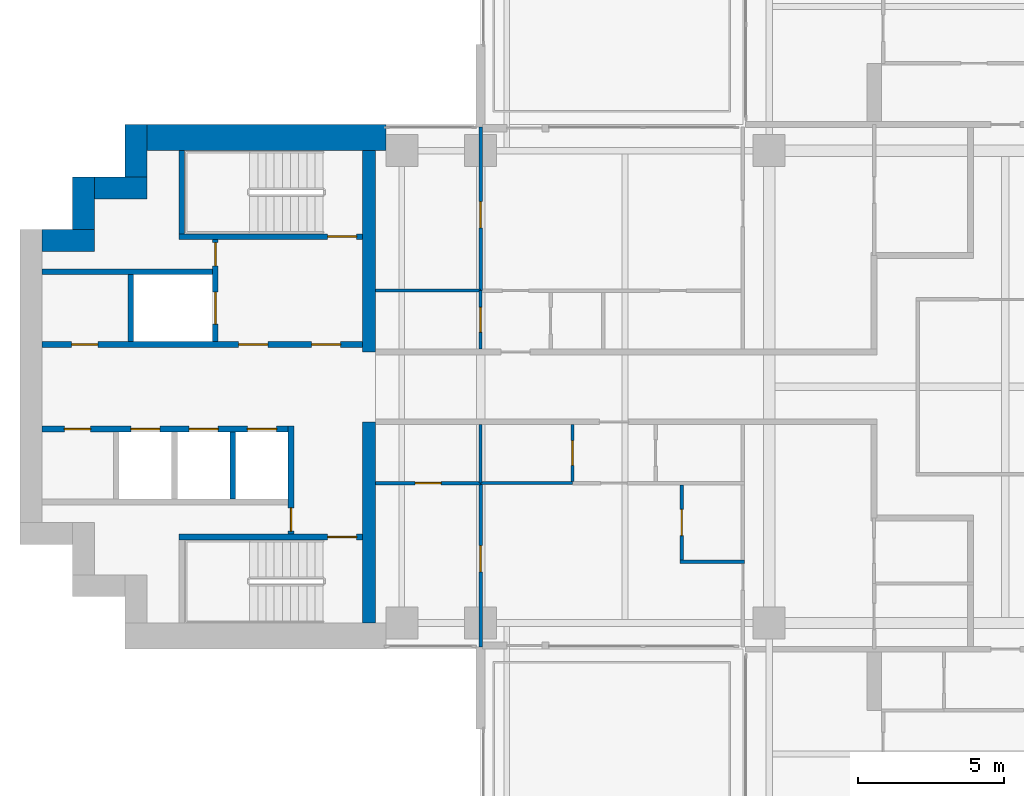
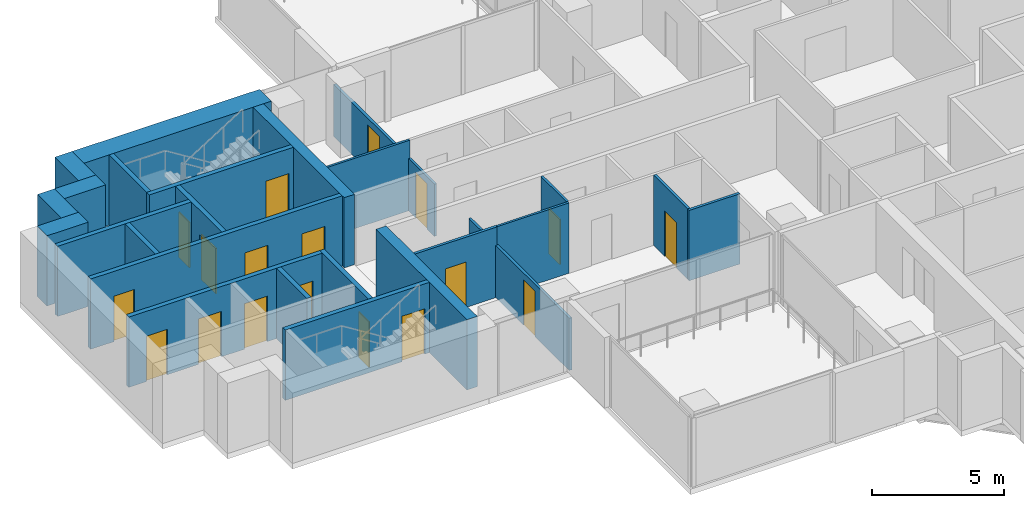
# One storey, part 9 of 19: 27 walls, 18 doors, 18 openings.
"""IFC4 building model written with IfcOpenShell, lengths in metres."""

from ifc_helpers import new_model, si_unit, direction, frame, frame_2d, origin, place, context, subcontext, project, spatial, rectangle, extrude, material, layer, layer_set, type_object, element, fill, save


model = new_model("IFC4")

# Units and contexts
model_context = context("Model", 3, precision=1e-05, world=origin(), true_north=direction((0.0, 1.0)))
body_context = subcontext(model_context, "Body", "Model", "MODEL_VIEW")
ifc_project = project(units=[si_unit("LENGTHUNIT", "METRE"), si_unit("AREAUNIT", "SQUARE_METRE"), si_unit("VOLUMEUNIT", "CUBIC_METRE"), si_unit("PLANEANGLEUNIT", "RADIAN"), si_unit("MASSUNIT", "GRAM", prefix="KILO")], contexts=[model_context])

# Site, building, storey
site_placement = place(None, origin())
site = spatial("IfcSite", under=ifc_project, at=site_placement, CompositionType="ELEMENT")
building_placement = place(site_placement, origin())
building = spatial("IfcBuilding", under=site, at=building_placement, Name="Perihelion Cross Residences", CompositionType="ELEMENT")
storey_placement = place(building_placement, frame((0.0, 0.0, 112.89990234375)))
storey = spatial("IfcBuildingStorey", under=building, at=storey_placement, Name="L26", CompositionType="ELEMENT", Elevation=112.89990234375)

# Walls
ifc_material_1 = material(Name="Concrete C60/75", Category="concrete")
ifc_layer_1 = layer(ifc_material_1, 0.449951171875)
ifc_layer_set_1 = layer_set([ifc_layer_1], Name="Core wall, inner 450")
wall_type_1 = type_object("IfcWallType", Name="Core wall, inner 450", PredefinedType="SHEAR", material=ifc_layer_set_1)
for number, where, z_axis, x_axis, name in (
    (1, (-21.824951171875, -8.10009765625, 0.0), (0.0, 0.0, 1.0), (0.0, 1.0, 0.0), "West core core wall, inner"),
    (2, (-21.824951171875, 1.199951171875, 0.0), (0.0, 0.0, 1.0), (0.0, 1.0, 0.0), "West core core wall, inner"),
):
    element("IfcWall", number, at=place(storey_placement, frame(where, z_axis=z_axis, x_axis=x_axis)), inside=storey, type_object=wall_type_1, Name=name, PredefinedType="SHEAR", context=body_context, shape_type="SweptSolid", body=[
        extrude(rectangle(XDim=6.900146484375, YDim=0.449951171875, at=frame_2d((3.4501953125, 0.0))), origin(), (0.0, 0.0, 1.0), 3.25),
    ])
ifc_material_2 = material(Name="Concrete C60/75", Category="concrete")
ifc_layer_2 = layer(ifc_material_2, 0.75)
ifc_layer_set_2 = layer_set([ifc_layer_2], Name="Core wall, outer 750")
wall_type_2 = type_object("IfcWallType", Name="Core wall, outer 750", PredefinedType="SHEAR", material=ifc_layer_set_2)
for number, where, z_axis, x_axis, name in (
    (3, (-33.050048828125, 5.02490234375, 0.0), (0.0, 0.0, 1.0), (1.0, 0.0, 0.0), "West core core wall, outer"),
    (4, (-31.625, 5.39990234375, 0.0), (0.0, 0.0, 1.0), (0.0, 1.0, 0.0), "West core core wall, outer"),
    (5, (-31.25, 6.824951171875, 0.0), (0.0, 0.0, 1.0), (1.0, 0.0, 0.0), "West core core wall, outer"),
    (6, (-29.824951171875, 7.199951171875, 0.0), (0.0, 0.0, 1.0), (0.0, 1.0, 0.0), "West core core wall, outer"),
):
    element("IfcWall", number, at=place(storey_placement, frame(where, z_axis=z_axis, x_axis=x_axis)), inside=storey, type_object=wall_type_2, Name=name, PredefinedType="SHEAR", context=body_context, shape_type="SweptSolid", body=[
        extrude(rectangle(XDim=1.800048828125, YDim=0.75, at=frame_2d((0.89990234375, 0.0))), origin(), (0.0, 0.0, 1.0), 3.25),
    ])
ifc_material_3 = material(Name="Concrete C60/75", Category="concrete")
ifc_layer_3 = layer(ifc_material_3, 0.89990234375)
ifc_layer_set_3 = layer_set([ifc_layer_3], Name="Core wall, outer 900")
wall_type_3 = type_object("IfcWallType", Name="Core wall, outer 900", PredefinedType="SHEAR", material=ifc_layer_set_3)
wall_1_placement = place(storey_placement, frame((-29.449951171875, 8.550048828125, 0.0), z_axis=(0.0, 0.0, 1.0), x_axis=(1.0, 0.0, 0.0)))
element("IfcWall", 7, at=wall_1_placement, inside=storey, type_object=wall_type_3, Name="West core core wall, outer", PredefinedType="SHEAR", context=body_context, shape_type="SweptSolid", body=[
    extrude(rectangle(XDim=8.199951171875, YDim=0.89990234375, at=frame_2d((4.10009765625, 0.0))), origin(), (0.0, 0.0, 1.0), 3.25),
])

# Wall, opening, door
ifc_material_4 = material(Name="Concrete C50/60", Category="concrete")
ifc_layer_4 = layer(ifc_material_4, 0.199951171875)
ifc_layer_set_4 = layer_set([ifc_layer_4], Name="Lobby wall 200")
wall_type_4 = type_object("IfcWallType", Name="Lobby wall 200", PredefinedType="SOLIDWALL", material=ifc_layer_set_4)
wall_2_placement = place(storey_placement, frame((-24.5, -5.050048828125, 0.0), z_axis=(0.0, 0.0, 1.0), x_axis=(0.0, 1.0, 0.0)))
wall_2 = element("IfcWall", 8, at=wall_2_placement, inside=storey, type_object=wall_type_4, Name="West core lobby wall", PredefinedType="SOLIDWALL", context=body_context, shape_type="SweptSolid", body=[
    extrude(rectangle(XDim=3.699951171875, YDim=0.199951171875, at=frame_2d((1.85009765625, 0.0))), origin(), (0.0, 0.0, 1.0), 3.25),
])
opening_1_placement = place(wall_2_placement, frame((0.10009765625, 0.0, 0.0)))
opening_1 = element("IfcOpeningElement", 9, at=opening_1_placement, cuts=wall_2, Name="Opening L26.C20", PredefinedType="OPENING", context=body_context, shape_type="SweptSolid", body=[
    extrude(rectangle(XDim=0.800048828125, YDim=2.10009765625, at=frame_2d((0.39990234375, 1.050048828125))), frame((0.0, 0.10986328125, 0.0), z_axis=(0.0, -1.0, 0.0), x_axis=(1.0, 0.0, 0.0)), (0.0, 0.0, 1.0), 0.219970703125),
])
ifc_material_5 = material(Name="Steel, powder coated", Category="steel")
door_type_1 = type_object("IfcDoorType", Name="Riser door 800", OperationType="SINGLE_SWING_LEFT", PredefinedType="DOOR", material=ifc_material_5)
door_1_placement = place(opening_1_placement, origin())
door_1 = element("IfcDoor", 10, at=door_1_placement, inside=storey, type_object=door_type_1, Name="West core riser door", OperationType="SINGLE_SWING_LEFT", OverallHeight=2.10009765625, OverallWidth=0.800048828125, PredefinedType="DOOR", context=body_context, shape_type="SweptSolid", body=[
    extrude(rectangle(XDim=0.800048828125, YDim=2.10009765625, at=frame_2d((0.39990234375, 1.050048828125))), frame((0.0, 0.02490234375, 0.0), z_axis=(0.0, -1.0, 0.0), x_axis=(1.0, 0.0, 0.0)), (0.0, 0.0, 1.0), 0.050048828125),
])
fill(opening_1, door_1)

ifc_material_6 = material(Name="Plasterboard partition")
ifc_layer_5 = layer(ifc_material_6, 0.1201171875)
ifc_layer_set_5 = layer_set([ifc_layer_5], Name="Partition wall 120")
wall_type_5 = type_object("IfcWallType", Name="Partition wall 120", PredefinedType="PARTITIONING", material=ifc_layer_set_5)
wall_3_placement = place(storey_placement, frame((-18.0, 3.300048828125, 0.0), z_axis=(0.0, 0.0, 1.0), x_axis=(0.0, 1.0, 0.0)))
wall_3 = element("IfcWall", 11, at=wall_3_placement, inside=storey, type_object=wall_type_5, Name="Partition L26 W051", PredefinedType="PARTITIONING", context=body_context, shape_type="SweptSolid", body=[
    extrude(rectangle(XDim=5.619873046875, YDim=0.1201171875, at=frame_2d((2.81005859375, 0.0))), origin(), (0.0, 0.0, 1.0), 2.4140625),
])
opening_2_placement = place(wall_3_placement, frame((2.14990234375, 0.0, 0.0)))
opening_2 = element("IfcOpeningElement", 12, at=opening_2_placement, cuts=wall_3, Name="Opening L26.A24", PredefinedType="OPENING", context=body_context, shape_type="SweptSolid", body=[
    extrude(rectangle(XDim=0.89990234375, YDim=2.10009765625, at=frame_2d((0.449951171875, 1.050048828125))), frame((0.0, 0.070068359375, 0.0), z_axis=(0.0, -1.0, 0.0), x_axis=(1.0, 0.0, 0.0)), (0.0, 0.0, 1.0), 0.14013671875),
])
ifc_material_7 = material(Name="Timber door leaf", Category="wood")
door_type_2 = type_object("IfcDoorType", Name="Interior room door 900 x 2100", OperationType="SINGLE_SWING_LEFT", PredefinedType="DOOR", material=ifc_material_7)
door_2_placement = place(opening_2_placement, origin())
door_2 = element("IfcDoor", 13, at=door_2_placement, inside=storey, type_object=door_type_2, Name="Door L26.A24", OperationType="SINGLE_SWING_LEFT", OverallHeight=2.10009765625, OverallWidth=0.89990234375, PredefinedType="DOOR", context=body_context, shape_type="SweptSolid", body=[
    extrude(rectangle(XDim=0.89990234375, YDim=2.10009765625, at=frame_2d((0.449951171875, 1.050048828125))), frame((0.0, 0.02490234375, 0.0), z_axis=(0.0, -1.0, 0.0), x_axis=(1.0, 0.0, 0.0)), (0.0, 0.0, 1.0), 0.050048828125),
])
fill(opening_2, door_2)

wall_4_placement = place(storey_placement, frame((-18.0, -3.300048828125, 0.0), z_axis=(0.0, 0.0, 1.0), x_axis=(-1.0, 0.0, 0.0)))
wall_4 = element("IfcWall", 14, at=wall_4_placement, inside=storey, type_object=wall_type_5, Name="Partition L26 W059", PredefinedType="PARTITIONING", context=body_context, shape_type="SweptSolid", body=[
    extrude(rectangle(XDim=3.60009765625, YDim=0.1201171875, at=frame_2d((1.800048828125, 0.0))), origin(), (0.0, 0.0, 1.0), 3.25),
])
opening_3_placement = place(wall_4_placement, frame((1.35009765625, 0.0, 0.0)))
opening_3 = element("IfcOpeningElement", 15, at=opening_3_placement, cuts=wall_4, Name="Opening L26.A33", PredefinedType="OPENING", context=body_context, shape_type="SweptSolid", body=[
    extrude(rectangle(XDim=0.89990234375, YDim=2.10009765625, at=frame_2d((0.449951171875, 1.050048828125))), frame((0.0, 0.070068359375, 0.0), z_axis=(0.0, -1.0, 0.0), x_axis=(1.0, 0.0, 0.0)), (0.0, 0.0, 1.0), 0.14013671875),
])
door_3_placement = place(opening_3_placement, origin())
door_3 = element("IfcDoor", 16, at=door_3_placement, inside=storey, type_object=door_type_2, Name="Door L26.A33", OperationType="SINGLE_SWING_LEFT", OverallHeight=2.10009765625, OverallWidth=0.89990234375, PredefinedType="DOOR", context=body_context, shape_type="SweptSolid", body=[
    extrude(rectangle(XDim=0.89990234375, YDim=2.10009765625, at=frame_2d((0.449951171875, 1.050048828125))), frame((0.0, 0.02490234375, 0.0), z_axis=(0.0, -1.0, 0.0), x_axis=(1.0, 0.0, 0.0)), (0.0, 0.0, 1.0), 0.050048828125),
])
fill(opening_3, door_3)

wall_5_placement = place(storey_placement, frame((-11.10009765625, -3.360107421875, 0.0), z_axis=(0.0, 0.0, 1.0), x_axis=(0.0, -1.0, 0.0)))
wall_5 = element("IfcWall", 17, at=wall_5_placement, inside=storey, type_object=wall_type_5, Name="Partition L26 W060", PredefinedType="PARTITIONING", context=body_context, shape_type="SweptSolid", body=[
    extrude(rectangle(XDim=2.579833984375, YDim=0.1201171875, at=frame_2d((1.2900390625, 0.0))), origin(), (0.0, 0.0, 1.0), 3.25),
])
opening_4_placement = place(wall_5_placement, frame((0.840087890625, 0.0, 0.0)))
opening_4 = element("IfcOpeningElement", 18, at=opening_4_placement, cuts=wall_5, Name="Opening L26.A30", PredefinedType="OPENING", context=body_context, shape_type="SweptSolid", body=[
    extrude(rectangle(XDim=0.89990234375, YDim=2.10009765625, at=frame_2d((0.449951171875, 1.050048828125))), frame((0.0, 0.070068359375, 0.0), z_axis=(0.0, -1.0, 0.0), x_axis=(1.0, 0.0, 0.0)), (0.0, 0.0, 1.0), 0.14013671875),
])
door_4_placement = place(opening_4_placement, origin())
door_4 = element("IfcDoor", 19, at=door_4_placement, inside=storey, type_object=door_type_2, Name="Door L26.A30", OperationType="SINGLE_SWING_RIGHT", OverallHeight=2.10009765625, OverallWidth=0.89990234375, PredefinedType="DOOR", context=body_context, shape_type="SweptSolid", body=[
    extrude(rectangle(XDim=0.89990234375, YDim=2.10009765625, at=frame_2d((0.449951171875, 1.050048828125))), frame((0.0, 0.02490234375, 0.0), z_axis=(0.0, -1.0, 0.0), x_axis=(1.0, 0.0, 0.0)), (0.0, 0.0, 1.0), 0.050048828125),
])
fill(opening_4, door_4)

# Wall
wall_6_placement = place(storey_placement, frame((-11.159912109375, -6.0, 0.0), z_axis=(0.0, 0.0, 1.0), x_axis=(1.0, 0.0, 0.0)))
element("IfcWall", 20, at=wall_6_placement, inside=storey, type_object=wall_type_5, Name="Partition L26 W061", PredefinedType="PARTITIONING", context=body_context, shape_type="SweptSolid", body=[
    extrude(rectangle(XDim=2.219970703125, YDim=0.1201171875, at=frame_2d((1.10986328125, 0.0))), origin(), (0.0, 0.0, 1.0), 3.25),
])

# Wall, opening, door
wall_7_placement = place(storey_placement, frame((-18.0, -8.919921875, 0.0), z_axis=(0.0, 0.0, 1.0), x_axis=(0.0, 1.0, 0.0)))
wall_7 = element("IfcWall", 21, at=wall_7_placement, inside=storey, type_object=wall_type_5, Name="Partition L26 W062", PredefinedType="PARTITIONING", context=body_context, shape_type="SweptSolid", body=[
    extrude(rectangle(XDim=5.619873046875, YDim=0.1201171875, at=frame_2d((2.81005859375, 0.0))), origin(), (0.0, 0.0, 1.0), 2.4140625),
])
opening_5_placement = place(wall_7_placement, frame((2.570068359375, 0.0, 0.0)))
opening_5 = element("IfcOpeningElement", 22, at=opening_5_placement, cuts=wall_7, Name="Opening L26.A32", PredefinedType="OPENING", context=body_context, shape_type="SweptSolid", body=[
    extrude(rectangle(XDim=0.89990234375, YDim=2.10009765625, at=frame_2d((0.449951171875, 1.050048828125))), frame((0.0, 0.070068359375, 0.0), z_axis=(0.0, -1.0, 0.0), x_axis=(1.0, 0.0, 0.0)), (0.0, 0.0, 1.0), 0.14013671875),
])
door_5_placement = place(opening_5_placement, origin())
door_5 = element("IfcDoor", 23, at=door_5_placement, inside=storey, type_object=door_type_2, Name="Door L26.A32", OperationType="SINGLE_SWING_LEFT", OverallHeight=2.10009765625, OverallWidth=0.89990234375, PredefinedType="DOOR", context=body_context, shape_type="SweptSolid", body=[
    extrude(rectangle(XDim=0.89990234375, YDim=2.10009765625, at=frame_2d((0.449951171875, 1.050048828125))), frame((0.0, 0.02490234375, 0.0), z_axis=(0.0, -1.0, 0.0), x_axis=(1.0, 0.0, 0.0)), (0.0, 0.0, 1.0), 0.050048828125),
])
fill(opening_5, door_5)

# Wall, openings, doors
ifc_material_8 = material(Name="Concrete C50/60", Category="concrete")
ifc_layer_6 = layer(ifc_material_8, 0.199951171875)
ifc_layer_set_6 = layer_set([ifc_layer_6], Name="Shaft wall 200")
wall_type_6 = type_object("IfcWallType", Name="Shaft wall 200", PredefinedType="SOLIDWALL", material=ifc_layer_set_6)
wall_8_placement = place(storey_placement, frame((-33.050048828125, 1.449951171875, 0.0), z_axis=(0.0, 0.0, 1.0), x_axis=(1.0, 0.0, 0.0)))
wall_8 = element("IfcWall", 24, at=wall_8_placement, inside=storey, type_object=wall_type_6, Name="West core shaft wall", PredefinedType="SOLIDWALL", context=body_context, shape_type="SweptSolid", body=[
    extrude(rectangle(XDim=11.0, YDim=0.199951171875, at=frame_2d((5.5, 0.0))), origin(), (0.0, 0.0, 1.0), 3.25),
])
opening_6_placement = place(wall_8_placement, frame((9.25, 0.0, 0.0)))
opening_6 = element("IfcOpeningElement", 25, at=opening_6_placement, cuts=wall_8, Name="Opening L26.C19", PredefinedType="OPENING", context=body_context, shape_type="SweptSolid", body=[
    extrude(rectangle(XDim=1.0, YDim=2.10009765625, at=frame_2d((0.5, 1.050048828125))), frame((0.0, 0.10986328125, 0.0), z_axis=(0.0, -1.0, 0.0), x_axis=(1.0, 0.0, 0.0)), (0.0, 0.0, 1.0), 0.219970703125),
])
opening_7_placement = place(wall_8_placement, frame((6.75, 0.0, 0.0)))
opening_7 = element("IfcOpeningElement", 26, at=opening_7_placement, cuts=wall_8, Name="Opening L26.C21", PredefinedType="OPENING", context=body_context, shape_type="SweptSolid", body=[
    extrude(rectangle(XDim=1.0, YDim=2.10009765625, at=frame_2d((0.5, 1.050048828125))), frame((0.0, 0.10986328125, 0.0), z_axis=(0.0, -1.0, 0.0), x_axis=(1.0, 0.0, 0.0)), (0.0, 0.0, 1.0), 0.219970703125),
])
opening_8_placement = place(wall_8_placement, frame((1.02490234375, 0.0, 0.0)))
opening_8 = element("IfcOpeningElement", 27, at=opening_8_placement, cuts=wall_8, Name="Opening L26.C23", PredefinedType="OPENING", context=body_context, shape_type="SweptSolid", body=[
    extrude(rectangle(XDim=0.89990234375, YDim=2.10009765625, at=frame_2d((0.449951171875, 1.050048828125))), frame((0.0, 0.10986328125, 0.0), z_axis=(0.0, -1.0, 0.0), x_axis=(1.0, 0.0, 0.0)), (0.0, 0.0, 1.0), 0.219970703125),
])
ifc_material_9 = material(Name="Steel, powder coated", Category="steel")
door_type_3 = type_object("IfcDoorType", Name="Lobby door 1000", OperationType="SINGLE_SWING_LEFT", PredefinedType="DOOR", material=ifc_material_9)
door_6_placement = place(opening_6_placement, origin())
door_6 = element("IfcDoor", 28, at=door_6_placement, inside=storey, type_object=door_type_3, Name="West core firefighting lobby door", OperationType="SINGLE_SWING_LEFT", OverallHeight=2.10009765625, OverallWidth=1.0, PredefinedType="DOOR", context=body_context, shape_type="SweptSolid", body=[
    extrude(rectangle(XDim=1.0, YDim=2.10009765625, at=frame_2d((0.5, 1.050048828125))), frame((0.0, 0.02490234375, 0.0), z_axis=(0.0, -1.0, 0.0), x_axis=(1.0, 0.0, 0.0)), (0.0, 0.0, 1.0), 0.050048828125),
])
fill(opening_6, door_6)
door_7_placement = place(opening_7_placement, origin())
door_7 = element("IfcDoor", 29, at=door_7_placement, inside=storey, type_object=door_type_3, Name="West core firefighting lobby door", OperationType="SINGLE_SWING_LEFT", OverallHeight=2.10009765625, OverallWidth=1.0, PredefinedType="DOOR", context=body_context, shape_type="SweptSolid", body=[
    extrude(rectangle(XDim=1.0, YDim=2.10009765625, at=frame_2d((0.5, 1.050048828125))), frame((0.0, 0.02490234375, 0.0), z_axis=(0.0, -1.0, 0.0), x_axis=(1.0, 0.0, 0.0)), (0.0, 0.0, 1.0), 0.050048828125),
])
fill(opening_7, door_7)
ifc_material_10 = material(Name="Steel, powder coated", Category="steel")
door_type_4 = type_object("IfcDoorType", Name="Service room door 900", OperationType="SINGLE_SWING_LEFT", PredefinedType="DOOR", material=ifc_material_10)
door_8_placement = place(opening_8_placement, origin())
door_8 = element("IfcDoor", 30, at=door_8_placement, inside=storey, type_object=door_type_4, Name="West core service room door", OperationType="SINGLE_SWING_LEFT", OverallHeight=2.10009765625, OverallWidth=0.89990234375, PredefinedType="DOOR", context=body_context, shape_type="SweptSolid", body=[
    extrude(rectangle(XDim=0.89990234375, YDim=2.10009765625, at=frame_2d((0.449951171875, 1.050048828125))), frame((0.0, 0.02490234375, 0.0), z_axis=(0.0, -1.0, 0.0), x_axis=(1.0, 0.0, 0.0)), (0.0, 0.0, 1.0), 0.050048828125),
])
fill(opening_8, door_8)

wall_9_placement = place(storey_placement, frame((-33.050048828125, -1.449951171875, 0.0), z_axis=(0.0, 0.0, 1.0), x_axis=(1.0, 0.0, 0.0)))
wall_9 = element("IfcWall", 31, at=wall_9_placement, inside=storey, type_object=wall_type_6, Name="West core shaft wall", PredefinedType="SOLIDWALL", context=body_context, shape_type="SweptSolid", body=[
    extrude(rectangle(XDim=8.449951171875, YDim=0.199951171875, at=frame_2d((4.22509765625, 0.0))), origin(), (0.0, 0.0, 1.0), 3.25),
])
opening_9_placement = place(wall_9_placement, frame((7.050048828125, 0.0, 0.0)))
opening_9 = element("IfcOpeningElement", 32, at=opening_9_placement, cuts=wall_9, Name="Opening L26.C13", PredefinedType="OPENING", context=body_context, shape_type="SweptSolid", body=[
    extrude(rectangle(XDim=1.0, YDim=2.10009765625, at=frame_2d((0.5, 1.050048828125))), frame((0.0, 0.10986328125, 0.0), z_axis=(0.0, -1.0, 0.0), x_axis=(1.0, 0.0, 0.0)), (0.0, 0.0, 1.0), 0.219970703125),
])
opening_10_placement = place(wall_9_placement, frame((5.050048828125, 0.0, 0.0)))
opening_10 = element("IfcOpeningElement", 33, at=opening_10_placement, cuts=wall_9, Name="Opening L26.C15", PredefinedType="OPENING", context=body_context, shape_type="SweptSolid", body=[
    extrude(rectangle(XDim=1.0, YDim=2.10009765625, at=frame_2d((0.5, 1.050048828125))), frame((0.0, 0.10986328125, 0.0), z_axis=(0.0, -1.0, 0.0), x_axis=(1.0, 0.0, 0.0)), (0.0, 0.0, 1.0), 0.219970703125),
])
opening_11_placement = place(wall_9_placement, frame((3.050048828125, 0.0, 0.0)))
opening_11 = element("IfcOpeningElement", 34, at=opening_11_placement, cuts=wall_9, Name="Opening L26.C16", PredefinedType="OPENING", context=body_context, shape_type="SweptSolid", body=[
    extrude(rectangle(XDim=1.0, YDim=2.10009765625, at=frame_2d((0.5, 1.050048828125))), frame((0.0, 0.10986328125, 0.0), z_axis=(0.0, -1.0, 0.0), x_axis=(1.0, 0.0, 0.0)), (0.0, 0.0, 1.0), 0.219970703125),
])
opening_12_placement = place(wall_9_placement, frame((0.77490234375, 0.0, 0.0)))
opening_12 = element("IfcOpeningElement", 35, at=opening_12_placement, cuts=wall_9, Name="Opening L26.C24", PredefinedType="OPENING", context=body_context, shape_type="SweptSolid", body=[
    extrude(rectangle(XDim=0.89990234375, YDim=2.10009765625, at=frame_2d((0.449951171875, 1.050048828125))), frame((0.0, 0.10986328125, 0.0), z_axis=(0.0, -1.0, 0.0), x_axis=(1.0, 0.0, 0.0)), (0.0, 0.0, 1.0), 0.219970703125),
])
ifc_material_11 = material(Name="Stainless steel", Category="steel")
door_type_5 = type_object("IfcDoorType", Name="Landing door 1000", OperationType="DOUBLE_DOOR_SLIDING", PredefinedType="DOOR", material=ifc_material_11)
door_9_placement = place(opening_9_placement, origin())
door_9 = element("IfcDoor", 36, at=door_9_placement, inside=storey, type_object=door_type_5, Name="Landing door, West core high-rise lift 1", OperationType="DOUBLE_DOOR_SLIDING", OverallHeight=2.10009765625, OverallWidth=1.0, PredefinedType="DOOR", context=body_context, shape_type="SweptSolid", body=[
    extrude(rectangle(XDim=1.0, YDim=2.10009765625, at=frame_2d((0.5, 1.050048828125))), frame((0.0, 0.02490234375, 0.0), z_axis=(0.0, -1.0, 0.0), x_axis=(1.0, 0.0, 0.0)), (0.0, 0.0, 1.0), 0.050048828125),
])
fill(opening_9, door_9)
door_10_placement = place(opening_10_placement, origin())
door_10 = element("IfcDoor", 37, at=door_10_placement, inside=storey, type_object=door_type_5, Name="Landing door, West core high-rise lift 2", OperationType="DOUBLE_DOOR_SLIDING", OverallHeight=2.10009765625, OverallWidth=1.0, PredefinedType="DOOR", context=body_context, shape_type="SweptSolid", body=[
    extrude(rectangle(XDim=1.0, YDim=2.10009765625, at=frame_2d((0.5, 1.050048828125))), frame((0.0, 0.02490234375, 0.0), z_axis=(0.0, -1.0, 0.0), x_axis=(1.0, 0.0, 0.0)), (0.0, 0.0, 1.0), 0.050048828125),
])
fill(opening_10, door_10)
door_11_placement = place(opening_11_placement, origin())
door_11 = element("IfcDoor", 38, at=door_11_placement, inside=storey, type_object=door_type_5, Name="Landing door, West core high-rise lift 3", OperationType="DOUBLE_DOOR_SLIDING", OverallHeight=2.10009765625, OverallWidth=1.0, PredefinedType="DOOR", context=body_context, shape_type="SweptSolid", body=[
    extrude(rectangle(XDim=1.0, YDim=2.10009765625, at=frame_2d((0.5, 1.050048828125))), frame((0.0, 0.02490234375, 0.0), z_axis=(0.0, -1.0, 0.0), x_axis=(1.0, 0.0, 0.0)), (0.0, 0.0, 1.0), 0.050048828125),
])
fill(opening_11, door_11)
door_12_placement = place(opening_12_placement, origin())
door_12 = element("IfcDoor", 39, at=door_12_placement, inside=storey, type_object=door_type_4, Name="West core service room door", OperationType="SINGLE_SWING_LEFT", OverallHeight=2.10009765625, OverallWidth=0.89990234375, PredefinedType="DOOR", context=body_context, shape_type="SweptSolid", body=[
    extrude(rectangle(XDim=0.89990234375, YDim=2.10009765625, at=frame_2d((0.449951171875, 1.050048828125))), frame((0.0, 0.02490234375, 0.0), z_axis=(0.0, -1.0, 0.0), x_axis=(1.0, 0.0, 0.0)), (0.0, 0.0, 1.0), 0.050048828125),
])
fill(opening_12, door_12)

# Wall
wall_10_placement = place(storey_placement, frame((-33.050048828125, 3.949951171875, 0.0), z_axis=(0.0, 0.0, 1.0), x_axis=(1.0, 0.0, 0.0)))
element("IfcWall", 40, at=wall_10_placement, inside=storey, type_object=wall_type_6, Name="West core shaft wall", PredefinedType="SOLIDWALL", context=body_context, shape_type="SweptSolid", body=[
    extrude(rectangle(XDim=5.85009765625, YDim=0.199951171875, at=frame_2d((2.925048828125, 0.0))), origin(), (0.0, 0.0, 1.0), 3.25),
])

# Wall, openings, doors
wall_11_placement = place(storey_placement, frame((-27.10009765625, 1.550048828125, 0.0), z_axis=(0.0, 0.0, 1.0), x_axis=(0.0, 1.0, 0.0)))
wall_11 = element("IfcWall", 41, at=wall_11_placement, inside=storey, type_object=wall_type_6, Name="West core shaft wall", PredefinedType="SOLIDWALL", context=body_context, shape_type="SweptSolid", body=[
    extrude(rectangle(XDim=3.5, YDim=0.199951171875, at=frame_2d((1.75, 0.0))), origin(), (0.0, 0.0, 1.0), 3.25),
])
opening_13_placement = place(wall_11_placement, frame((0.60009765625, 0.0, 0.0)))
opening_13 = element("IfcOpeningElement", 42, at=opening_13_placement, cuts=wall_11, Name="Opening L26.C14", PredefinedType="OPENING", context=body_context, shape_type="SweptSolid", body=[
    extrude(rectangle(XDim=1.10009765625, YDim=2.10009765625, at=frame_2d((0.550048828125, 1.050048828125))), frame((0.0, 0.10986328125, 0.0), z_axis=(0.0, -1.0, 0.0), x_axis=(1.0, 0.0, 0.0)), (0.0, 0.0, 1.0), 0.219970703125),
])
opening_14_placement = place(wall_11_placement, frame((2.60009765625, 0.0, 0.0)))
opening_14 = element("IfcOpeningElement", 43, at=opening_14_placement, cuts=wall_11, Name="Opening L26.C22", PredefinedType="OPENING", context=body_context, shape_type="SweptSolid", body=[
    extrude(rectangle(XDim=0.800048828125, YDim=2.10009765625, at=frame_2d((0.39990234375, 1.050048828125))), frame((0.0, 0.10986328125, 0.0), z_axis=(0.0, -1.0, 0.0), x_axis=(1.0, 0.0, 0.0)), (0.0, 0.0, 1.0), 0.219970703125),
])
ifc_material_12 = material(Name="Stainless steel", Category="steel")
door_type_6 = type_object("IfcDoorType", Name="Landing door, firefighting lift 1100", OperationType="DOUBLE_DOOR_SLIDING", PredefinedType="DOOR", material=ifc_material_12)
door_13_placement = place(opening_13_placement, origin())
door_13 = element("IfcDoor", 44, at=door_13_placement, inside=storey, type_object=door_type_6, Name="Landing door, West core firefighting and service lift", OperationType="DOUBLE_DOOR_SLIDING", OverallHeight=2.10009765625, OverallWidth=1.10009765625, PredefinedType="DOOR", context=body_context, shape_type="SweptSolid", body=[
    extrude(rectangle(XDim=1.10009765625, YDim=2.10009765625, at=frame_2d((0.550048828125, 1.050048828125))), frame((0.0, 0.02490234375, 0.0), z_axis=(0.0, -1.0, 0.0), x_axis=(1.0, 0.0, 0.0)), (0.0, 0.0, 1.0), 0.050048828125),
])
fill(opening_13, door_13)
door_14_placement = place(opening_14_placement, origin())
door_14 = element("IfcDoor", 45, at=door_14_placement, inside=storey, type_object=door_type_1, Name="West core riser door", OperationType="SINGLE_SWING_LEFT", OverallHeight=2.10009765625, OverallWidth=0.800048828125, PredefinedType="DOOR", context=body_context, shape_type="SweptSolid", body=[
    extrude(rectangle(XDim=0.800048828125, YDim=2.10009765625, at=frame_2d((0.39990234375, 1.050048828125))), frame((0.0, 0.02490234375, 0.0), z_axis=(0.0, -1.0, 0.0), x_axis=(1.0, 0.0, 0.0)), (0.0, 0.0, 1.0), 0.050048828125),
])
fill(opening_14, door_14)

# Walls
for number, where, z_axis, x_axis, name in (
    (46, (-30.0, 1.550048828125, 0.0), (0.0, 0.0, 1.0), (0.0, 1.0, 0.0), "West core shaft wall"),
    (47, (-26.5, -3.85009765625, 0.0), (0.0, 0.0, 1.0), (0.0, 1.0, 0.0), "West core shaft wall"),
):
    element("IfcWall", number, at=place(storey_placement, frame(where, z_axis=z_axis, x_axis=x_axis)), inside=storey, type_object=wall_type_6, Name=name, PredefinedType="SOLIDWALL", context=body_context, shape_type="SweptSolid", body=[
        extrude(rectangle(XDim=2.300048828125, YDim=0.199951171875, at=frame_2d((1.14990234375, 0.0))), origin(), (0.0, 0.0, 1.0), 3.25),
    ])

# Wall, opening, door
ifc_material_13 = material(Name="Concrete C50/60", Category="concrete")
ifc_layer_7 = layer(ifc_material_13, 0.199951171875)
ifc_layer_set_7 = layer_set([ifc_layer_7], Name="Stair wall 200")
wall_type_7 = type_object("IfcWallType", Name="Stair wall 200", PredefinedType="SOLIDWALL", material=ifc_layer_set_7)
wall_12_placement = place(storey_placement, frame((-28.35009765625, 5.14990234375, 0.0), z_axis=(0.0, 0.0, 1.0), x_axis=(1.0, 0.0, 0.0)))
wall_12 = element("IfcWall", 48, at=wall_12_placement, inside=storey, type_object=wall_type_7, Name="West core stair wall", PredefinedType="SOLIDWALL", context=body_context, shape_type="SweptSolid", body=[
    extrude(rectangle(XDim=6.300048828125, YDim=0.199951171875, at=frame_2d((3.14990234375, 0.0))), origin(), (0.0, 0.0, 1.0), 3.25),
])
opening_15_placement = place(wall_12_placement, frame((5.10009765625, 0.0, 0.0)))
opening_15 = element("IfcOpeningElement", 49, at=opening_15_placement, cuts=wall_12, Name="Opening L26.C18", PredefinedType="OPENING", context=body_context, shape_type="SweptSolid", body=[
    extrude(rectangle(XDim=1.0, YDim=2.10009765625, at=frame_2d((0.5, 1.050048828125))), frame((0.0, 0.10986328125, 0.0), z_axis=(0.0, -1.0, 0.0), x_axis=(1.0, 0.0, 0.0)), (0.0, 0.0, 1.0), 0.219970703125),
])
ifc_material_14 = material(Name="Steel, powder coated", Category="steel")
door_type_7 = type_object("IfcDoorType", Name="Stair door 1000", OperationType="SINGLE_SWING_LEFT", PredefinedType="DOOR", material=ifc_material_14)
door_15_placement = place(opening_15_placement, origin())
door_15 = element("IfcDoor", 50, at=door_15_placement, inside=storey, type_object=door_type_7, Name="West core stair door", OperationType="SINGLE_SWING_LEFT", OverallHeight=2.10009765625, OverallWidth=1.0, PredefinedType="DOOR", context=body_context, shape_type="SweptSolid", body=[
    extrude(rectangle(XDim=1.0, YDim=2.10009765625, at=frame_2d((0.5, 1.050048828125))), frame((0.0, 0.02490234375, 0.0), z_axis=(0.0, -1.0, 0.0), x_axis=(1.0, 0.0, 0.0)), (0.0, 0.0, 1.0), 0.050048828125),
])
fill(opening_15, door_15)

wall_13_placement = place(storey_placement, frame((-28.35009765625, -5.14990234375, 0.0), z_axis=(0.0, 0.0, 1.0), x_axis=(1.0, 0.0, 0.0)))
wall_13 = element("IfcWall", 51, at=wall_13_placement, inside=storey, type_object=wall_type_7, Name="West core stair wall", PredefinedType="SOLIDWALL", context=body_context, shape_type="SweptSolid", body=[
    extrude(rectangle(XDim=6.300048828125, YDim=0.199951171875, at=frame_2d((3.14990234375, 0.0))), origin(), (0.0, 0.0, 1.0), 3.25),
])
opening_16_placement = place(wall_13_placement, frame((5.10009765625, 0.0, 0.0)))
opening_16 = element("IfcOpeningElement", 52, at=opening_16_placement, cuts=wall_13, Name="Opening L26.C17", PredefinedType="OPENING", context=body_context, shape_type="SweptSolid", body=[
    extrude(rectangle(XDim=1.0, YDim=2.10009765625, at=frame_2d((0.5, 1.050048828125))), frame((0.0, 0.10986328125, 0.0), z_axis=(0.0, -1.0, 0.0), x_axis=(1.0, 0.0, 0.0)), (0.0, 0.0, 1.0), 0.219970703125),
])
door_16_placement = place(opening_16_placement, origin())
door_16 = element("IfcDoor", 53, at=door_16_placement, inside=storey, type_object=door_type_7, Name="West core stair door", OperationType="SINGLE_SWING_LEFT", OverallHeight=2.10009765625, OverallWidth=1.0, PredefinedType="DOOR", context=body_context, shape_type="SweptSolid", body=[
    extrude(rectangle(XDim=1.0, YDim=2.10009765625, at=frame_2d((0.5, 1.050048828125))), frame((0.0, 0.02490234375, 0.0), z_axis=(0.0, -1.0, 0.0), x_axis=(1.0, 0.0, 0.0)), (0.0, 0.0, 1.0), 0.050048828125),
])
fill(opening_16, door_16)

# Wall
wall_14_placement = place(storey_placement, frame((-28.25, 5.25, 0.0), z_axis=(0.0, 0.0, 1.0), x_axis=(0.0, 1.0, 0.0)))
element("IfcWall", 54, at=wall_14_placement, inside=storey, type_object=wall_type_7, Name="West core stair wall", PredefinedType="SOLIDWALL", context=body_context, shape_type="SweptSolid", body=[
    extrude(rectangle(XDim=2.85009765625, YDim=0.199951171875, at=frame_2d((1.425048828125, 0.0))), origin(), (0.0, 0.0, 1.0), 3.25),
])

# Wall, opening, door
ifc_material_15 = material(Name="Plasterboard partition")
ifc_layer_8 = layer(ifc_material_15, 0.10009765625)
ifc_layer_set_8 = layer_set([ifc_layer_8], Name="Wet room wall 100")
wall_type_8 = type_object("IfcWallType", Name="Wet room wall 100", PredefinedType="PARTITIONING", material=ifc_layer_set_8)
wall_15_placement = place(storey_placement, frame((-18.0, 1.300048828125, 0.0), z_axis=(0.0, 0.0, 1.0), x_axis=(0.0, 1.0, 0.0)))
wall_15 = element("IfcWall", 55, at=wall_15_placement, inside=storey, type_object=wall_type_8, Name="Partition L26 W049", PredefinedType="PARTITIONING", context=body_context, shape_type="SweptSolid", body=[
    extrude(rectangle(XDim=2.0, YDim=0.10009765625, at=frame_2d((1.0, 0.0))), origin(), (0.0, 0.0, 1.0), 2.4140625),
])
opening_17_placement = place(wall_15_placement, frame((0.574951171875, 0.0, 0.0)))
opening_17 = element("IfcOpeningElement", 56, at=opening_17_placement, cuts=wall_15, Name="Opening L26.A19", PredefinedType="OPENING", context=body_context, shape_type="SweptSolid", body=[
    extrude(rectangle(XDim=0.85009765625, YDim=2.10009765625, at=frame_2d((0.425048828125, 1.050048828125))), frame((0.0, 0.06005859375, 0.0), z_axis=(0.0, -1.0, 0.0), x_axis=(1.0, 0.0, 0.0)), (0.0, 0.0, 1.0), 0.1201171875),
])
ifc_material_16 = material(Name="Timber door leaf", Category="wood")
door_type_8 = type_object("IfcDoorType", Name="Interior bathroom door 850 x 2100", OperationType="SINGLE_SWING_LEFT", PredefinedType="DOOR", material=ifc_material_16)
door_17_placement = place(opening_17_placement, origin())
door_17 = element("IfcDoor", 57, at=door_17_placement, inside=storey, type_object=door_type_8, Name="Door L26.A19", OperationType="SINGLE_SWING_RIGHT", OverallHeight=2.10009765625, OverallWidth=0.85009765625, PredefinedType="DOOR", context=body_context, shape_type="SweptSolid", body=[
    extrude(rectangle(XDim=0.85009765625, YDim=2.10009765625, at=frame_2d((0.425048828125, 1.050048828125))), frame((0.0, 0.02490234375, 0.0), z_axis=(0.0, -1.0, 0.0), x_axis=(1.0, 0.0, 0.0)), (0.0, 0.0, 1.0), 0.050048828125),
])
fill(opening_17, door_17)

# Wall
wall_16_placement = place(storey_placement, frame((-21.60009765625, 3.300048828125, 0.0), z_axis=(0.0, 0.0, 1.0), x_axis=(1.0, 0.0, 0.0)))
element("IfcWall", 58, at=wall_16_placement, inside=storey, type_object=wall_type_8, Name="Partition L26 W050", PredefinedType="PARTITIONING", context=body_context, shape_type="SweptSolid", body=[
    extrude(rectangle(XDim=3.60009765625, YDim=0.10009765625, at=frame_2d((1.800048828125, 0.0))), origin(), (0.0, 0.0, 1.0), 3.25),
])

# Wall, opening, door
wall_17_placement = place(storey_placement, frame((-14.85009765625, -3.239990234375, 0.0), z_axis=(0.0, 0.0, 1.0), x_axis=(0.0, 1.0, 0.0)))
wall_17 = element("IfcWall", 59, at=wall_17_placement, inside=storey, type_object=wall_type_8, Name="Partition L26 W056", PredefinedType="PARTITIONING", context=body_context, shape_type="SweptSolid", body=[
    extrude(rectangle(XDim=1.93994140625, YDim=0.10009765625, at=frame_2d((0.969970703125, 0.0))), origin(), (0.0, 0.0, 1.0), 3.25),
])
opening_18_placement = place(wall_17_placement, frame((0.544921875, 0.0, 0.0)))
opening_18 = element("IfcOpeningElement", 60, at=opening_18_placement, cuts=wall_17, Name="Opening L26.A26", PredefinedType="OPENING", context=body_context, shape_type="SweptSolid", body=[
    extrude(rectangle(XDim=0.85009765625, YDim=2.10009765625, at=frame_2d((0.425048828125, 1.050048828125))), frame((0.0, 0.06005859375, 0.0), z_axis=(0.0, -1.0, 0.0), x_axis=(1.0, 0.0, 0.0)), (0.0, 0.0, 1.0), 0.1201171875),
])
door_18_placement = place(opening_18_placement, origin())
door_18 = element("IfcDoor", 61, at=door_18_placement, inside=storey, type_object=door_type_8, Name="Door L26.A26", OperationType="SINGLE_SWING_RIGHT", OverallHeight=2.10009765625, OverallWidth=0.85009765625, PredefinedType="DOOR", context=body_context, shape_type="SweptSolid", body=[
    extrude(rectangle(XDim=0.85009765625, YDim=2.10009765625, at=frame_2d((0.425048828125, 1.050048828125))), frame((0.0, 0.02490234375, 0.0), z_axis=(0.0, -1.0, 0.0), x_axis=(1.0, 0.0, 0.0)), (0.0, 0.0, 1.0), 0.050048828125),
])
fill(opening_18, door_18)

# Walls
wall_18_placement = place(storey_placement, frame((-18.0, -3.300048828125, 0.0), z_axis=(0.0, 0.0, 1.0), x_axis=(0.0, 1.0, 0.0)))
element("IfcWall", 62, at=wall_18_placement, inside=storey, type_object=wall_type_8, Name="Partition L26 W057", PredefinedType="PARTITIONING", context=body_context, shape_type="SweptSolid", body=[
    extrude(rectangle(XDim=2.0, YDim=0.10009765625, at=frame_2d((1.0, 0.0))), origin(), (0.0, 0.0, 1.0), 2.4140625),
])
wall_19_placement = place(storey_placement, frame((-14.85009765625, -3.300048828125, 0.0), z_axis=(0.0, 0.0, 1.0), x_axis=(-1.0, 0.0, 0.0)))
element("IfcWall", 63, at=wall_19_placement, inside=storey, type_object=wall_type_8, Name="Partition L26 W058", PredefinedType="PARTITIONING", context=body_context, shape_type="SweptSolid", body=[
    extrude(rectangle(XDim=3.14990234375, YDim=0.10009765625, at=frame_2d((1.574951171875, 0.0))), origin(), (0.0, 0.0, 1.0), 3.25),
])

save(model, "model.ifc")
